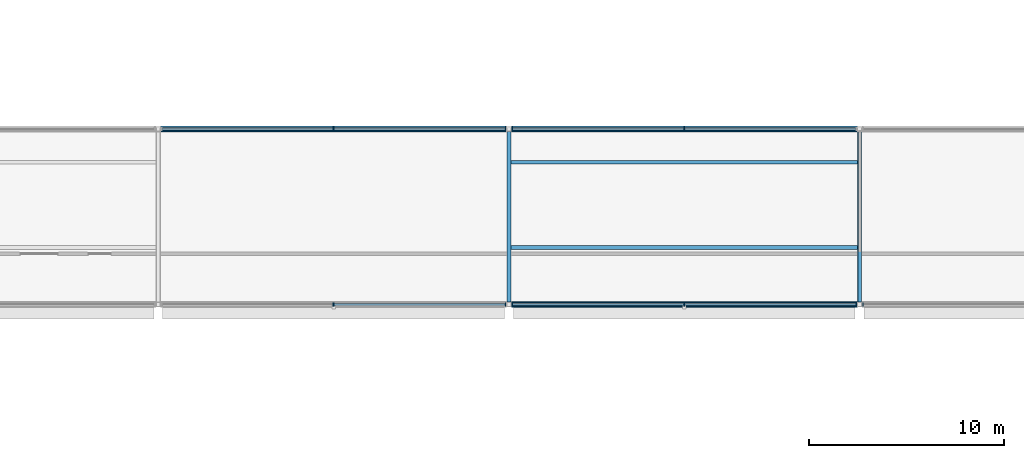
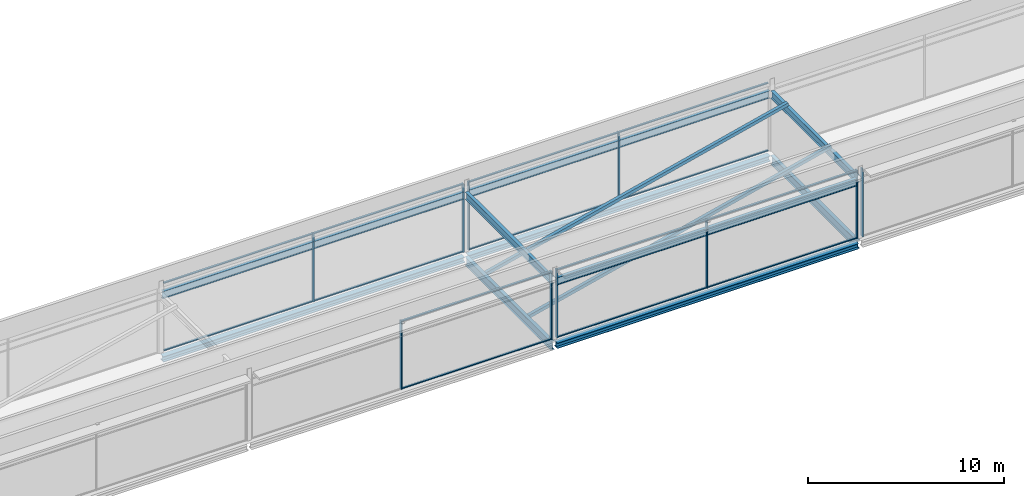
# One storey, part 18 of 73: 26 members, 10 beams, 5 elements without a shape of their own.
"""IFC4 building model written with IfcOpenShell, lengths in metres."""

from ifc_helpers import new_model, si_unit, direction, frame, origin, origin_2d, place, context, subcontext, project, spatial, rectangle, hollow_rectangle, i_section, extrude, material, layer, layer_set, material_profile, profile_set, type_object, element, aggregate, save


model = new_model("IFC4")

# Units and contexts
model_context = context("Model", 3, precision=1e-05, world=origin(), true_north=direction((0.0, 1.0)))
body_context = subcontext(model_context, "Body", "Model", "MODEL_VIEW")
ifc_project = project(units=[si_unit("LENGTHUNIT", "METRE"), si_unit("AREAUNIT", "SQUARE_METRE"), si_unit("VOLUMEUNIT", "CUBIC_METRE"), si_unit("PLANEANGLEUNIT", "RADIAN"), si_unit("MASSUNIT", "GRAM", prefix="KILO")], contexts=[model_context])

# Site, building, storey
site_placement = place(None, origin())
site = spatial("IfcSite", under=ifc_project, at=site_placement, CompositionType="ELEMENT")
building_placement = place(site_placement, origin())
building = spatial("IfcBuilding", under=site, at=building_placement, Name="Kisiwana Market Hall", CompositionType="ELEMENT")
storey_placement = place(building_placement, frame((0.0, 0.0, 33.300048828125)))
storey = spatial("IfcBuildingStorey", under=building, at=storey_placement, Name="L07", CompositionType="ELEMENT", Elevation=33.300048828125)

# Beams
ifc_material_1 = material(Name="Steel S355", Category="steel")
ifc_material_profile_1 = material_profile(ifc_material_1, i_section(OverallWidth=0.19140625, OverallDepth=0.4599609375, WebThickness=0.010009765625, FlangeThickness=0.01611328125, at=origin_2d()), Name="UB 457x191x82")
ifc_profile_set_1 = profile_set([ifc_material_profile_1], Name="Steel S355")
beam_type_1 = type_object("IfcBeamType", Name="BM-GIRD-UB457H", PredefinedType="BEAM", material=ifc_profile_set_1)
for number, where, z_axis, x_axis, name in (
    (1, (81.12109375, 18.0, 3.52783203125), (1.0, 0.0, 0.0), (0.0, 1.0, 0.0), "Roof girder B-2059"),
    (2, (63.12109375, 27.0, 3.52783203125), (1.0, 0.0, 0.0), (0.0, 1.0, 0.0), "Roof girder B-2064"),
    (3, (81.12109375, 27.0, 3.52783203125), (1.0, 0.0, 0.0), (0.0, 1.0, 0.0), "Roof girder B-2065"),
):
    element("IfcBeam", number, at=place(storey_placement, frame(where, z_axis=z_axis, x_axis=x_axis)), inside=storey, type_object=beam_type_1, Name=name, PredefinedType="BEAM", context=body_context, shape_type="SweptSolid", body=[
        extrude(i_section(OverallWidth=0.19140625, OverallDepth=0.4599609375, WebThickness=0.010009765625, FlangeThickness=0.01611328125, at=origin_2d()), origin(), (0.0, 0.0, 1.0), 17.7578125),
    ])
for number, where, z_axis, x_axis, name in (
    (4, (81.0, 18.12109375, 3.52783203125), (0.0, 1.0, 0.0), (-1.0, 0.0, 0.0), "Roof girder B-2070"),
    (5, (99.0, 18.12109375, 3.52783203125), (0.0, 1.0, 0.0), (-1.0, 0.0, 0.0), "Roof girder B-2071"),
):
    element("IfcBeam", number, at=place(storey_placement, frame(where, z_axis=z_axis, x_axis=x_axis)), inside=storey, type_object=beam_type_1, Name=name, PredefinedType="BEAM", context=body_context, shape_type="SweptSolid", body=[
        extrude(i_section(OverallWidth=0.19140625, OverallDepth=0.4599609375, WebThickness=0.010009765625, FlangeThickness=0.01611328125, at=origin_2d()), origin(), (0.0, 0.0, 1.0), 8.7578125),
    ])
ifc_material_2 = material(Name="Steel S355", Category="steel")
ifc_material_profile_2 = material_profile(ifc_material_2, i_section(OverallWidth=0.209228515625, OverallDepth=0.533203125, WebThickness=0.010009765625, FlangeThickness=0.015625, at=origin_2d()), Name="UB 533x210x92")
ifc_profile_set_2 = profile_set([ifc_material_profile_2], Name="Steel S355")
beam_type_2 = type_object("IfcBeamType", Name="BM-GIRD-UB533", PredefinedType="BEAM", material=ifc_profile_set_2)
for number, where, z_axis, x_axis, name in (
    (6, (81.0, 18.12109375, -0.531494140625), (0.0, 1.0, 0.0), (-1.0, 0.0, 0.0), "Primary girder B-1901"),
    (7, (99.0, 18.12109375, -0.531494140625), (0.0, 1.0, 0.0), (-1.0, 0.0, 0.0), "Primary girder B-1903"),
):
    element("IfcBeam", number, at=place(storey_placement, frame(where, z_axis=z_axis, x_axis=x_axis)), inside=storey, type_object=beam_type_2, Name=name, PredefinedType="BEAM", context=body_context, shape_type="SweptSolid", body=[
        extrude(i_section(OverallWidth=0.209228515625, OverallDepth=0.533203125, WebThickness=0.010009765625, FlangeThickness=0.015625, at=origin_2d()), origin(), (0.0, 0.0, 1.0), 8.7578125),
    ])
ifc_material_3 = material(Name="Steel S355", Category="steel")
ifc_material_profile_3 = material_profile(ifc_material_3, i_section(OverallWidth=0.314453125, OverallDepth=0.33984375, WebThickness=0.01904296875, FlangeThickness=0.031494140625, at=origin_2d()), Name="UC 305x305x198")
ifc_profile_set_3 = profile_set([ifc_material_profile_3], Name="Steel S355")
beam_type_3 = type_object("IfcBeamType", Name="BM-SKYBR-CHORD", PredefinedType="BEAM", material=ifc_profile_set_3)
for number, where, z_axis, x_axis, name in (
    (8, (81.12109375, 18.0, -0.43505859375), (1.0, 0.0, 0.0), (0.0, 1.0, 0.0), "Floor beam B-1969"),
    (9, (63.12109375, 27.0, -0.43505859375), (1.0, 0.0, 0.0), (0.0, 1.0, 0.0), "Floor beam B-1978"),
    (10, (81.12109375, 27.0, -0.43505859375), (1.0, 0.0, 0.0), (0.0, 1.0, 0.0), "Floor beam B-1979"),
):
    element("IfcBeam", number, at=place(storey_placement, frame(where, z_axis=z_axis, x_axis=x_axis)), inside=storey, type_object=beam_type_3, Name=name, PredefinedType="BEAM", context=body_context, shape_type="SweptSolid", body=[
        extrude(i_section(OverallWidth=0.314453125, OverallDepth=0.33984375, WebThickness=0.01904296875, FlangeThickness=0.031494140625, at=origin_2d()), origin(), (0.0, 0.0, 1.0), 17.7578125),
    ])

# Curtain wall, members
ifc_material_4 = material(Name="Double-glazed solar-control low-E IGU", Category="glass")
ifc_layer = layer(ifc_material_4, 0.159912109375)
ifc_layer_set = layer_set([ifc_layer], Name="CW-BRG-L07-8200")
curtain_wall_type = type_object("IfcCurtainWallType", Name="CW-BRG-L07-8200", PredefinedType="USERDEFINED", material=ifc_layer_set)
curtain_wall_1_placement = place(storey_placement, origin())
curtain_wall_1 = element("IfcCurtainWall", 11, at=curtain_wall_1_placement, inside=storey, type_object=curtain_wall_type, Name="Unitised curtain wall CW-213 (L07)", ObjectType="UNITISED CURTAIN WALL", PredefinedType="USERDEFINED")
ifc_material_5 = material(Name="Aluminium alloy 6063-T6", Category="aluminium")
ifc_material_profile_4 = material_profile(ifc_material_5, rectangle(XDim=0.070068359375, YDim=0.179931640625, at=origin_2d()), Name="ALU MULLION 70x180")
ifc_profile_set_4 = profile_set([ifc_material_profile_4], Name="Aluminium alloy 6063-T6")
member_type_1 = type_object("IfcMemberType", Name="CW-MULL-70x180", PredefinedType="MULLION", material=ifc_profile_set_4)
member_1_placement = place(storey_placement, frame((72.0, 18.0, 0.0), z_axis=(0.0, 0.0, 1.0), x_axis=(1.0, 0.0, 0.0)))
member_1 = element("IfcMember", 12, at=member_1_placement, type_object=member_type_1, Name="CW-213 mullion 2", PredefinedType="MULLION", context=body_context, shape_type="SweptSolid", body=[
    extrude(rectangle(XDim=0.070068359375, YDim=0.179931640625, at=origin_2d()), origin(), (0.0, 0.0, 1.0), 4.2548828125),
])
member_2_placement = place(storey_placement, frame((80.840087890625, 18.0, 0.0), z_axis=(0.0, 0.0, 1.0), x_axis=(1.0, 0.0, 0.0)))
member_2 = element("IfcMember", 13, at=member_2_placement, type_object=member_type_1, Name="CW-213 mullion 3", PredefinedType="MULLION", context=body_context, shape_type="SweptSolid", body=[
    extrude(rectangle(XDim=0.070068359375, YDim=0.179931640625, at=origin_2d()), origin(), (0.0, 0.0, 1.0), 4.2548828125),
])

curtain_wall_2_placement = place(storey_placement, origin())
curtain_wall_2 = element("IfcCurtainWall", 14, at=curtain_wall_2_placement, inside=storey, type_object=curtain_wall_type, Name="Unitised curtain wall CW-214 (L07)", ObjectType="UNITISED CURTAIN WALL", PredefinedType="USERDEFINED")
member_3_placement = place(storey_placement, frame((81.159912109375, 18.0, 0.0), z_axis=(0.0, 0.0, 1.0), x_axis=(1.0, 0.0, 0.0)))
member_3 = element("IfcMember", 15, at=member_3_placement, type_object=member_type_1, Name="CW-214 mullion 1", PredefinedType="MULLION", context=body_context, shape_type="SweptSolid", body=[
    extrude(rectangle(XDim=0.070068359375, YDim=0.179931640625, at=origin_2d()), origin(), (0.0, 0.0, 1.0), 4.2548828125),
])
member_4_placement = place(storey_placement, frame((90.0, 18.0, 0.0), z_axis=(0.0, 0.0, 1.0), x_axis=(1.0, 0.0, 0.0)))
member_4 = element("IfcMember", 16, at=member_4_placement, type_object=member_type_1, Name="CW-214 mullion 2", PredefinedType="MULLION", context=body_context, shape_type="SweptSolid", body=[
    extrude(rectangle(XDim=0.070068359375, YDim=0.179931640625, at=origin_2d()), origin(), (0.0, 0.0, 1.0), 4.2548828125),
])
member_5_placement = place(storey_placement, frame((98.840087890625, 18.0, 0.0), z_axis=(0.0, 0.0, 1.0), x_axis=(1.0, 0.0, 0.0)))
member_5 = element("IfcMember", 17, at=member_5_placement, type_object=member_type_1, Name="CW-214 mullion 3", PredefinedType="MULLION", context=body_context, shape_type="SweptSolid", body=[
    extrude(rectangle(XDim=0.070068359375, YDim=0.179931640625, at=origin_2d()), origin(), (0.0, 0.0, 1.0), 4.2548828125),
])

# Curtain wall, member
curtain_wall_3_placement = place(storey_placement, origin())
curtain_wall_3 = element("IfcCurtainWall", 18, at=curtain_wall_3_placement, inside=storey, type_object=curtain_wall_type, Name="Unitised curtain wall CW-215 (L07)", ObjectType="UNITISED CURTAIN WALL", PredefinedType="USERDEFINED")
member_6_placement = place(storey_placement, frame((99.159912109375, 18.0, 0.0), z_axis=(0.0, 0.0, 1.0), x_axis=(1.0, 0.0, 0.0)))
member_6 = element("IfcMember", 19, at=member_6_placement, type_object=member_type_1, Name="CW-215 mullion 1", PredefinedType="MULLION", context=body_context, shape_type="SweptSolid", body=[
    extrude(rectangle(XDim=0.070068359375, YDim=0.179931640625, at=origin_2d()), origin(), (0.0, 0.0, 1.0), 4.2548828125),
])
aggregate(curtain_wall_3, [member_6])

# Curtain wall, members
curtain_wall_4_placement = place(storey_placement, origin())
curtain_wall_4 = element("IfcCurtainWall", 20, at=curtain_wall_4_placement, inside=storey, type_object=curtain_wall_type, Name="Unitised curtain wall CW-219 (L07)", ObjectType="UNITISED CURTAIN WALL", PredefinedType="USERDEFINED")
member_7_placement = place(storey_placement, frame((72.0, 27.0, 0.0), z_axis=(0.0, 0.0, 1.0), x_axis=(1.0, 0.0, 0.0)))
member_7 = element("IfcMember", 21, at=member_7_placement, type_object=member_type_1, Name="CW-219 mullion 2", PredefinedType="MULLION", context=body_context, shape_type="SweptSolid", body=[
    extrude(rectangle(XDim=0.070068359375, YDim=0.179931640625, at=origin_2d()), origin(), (0.0, 0.0, 1.0), 4.2548828125),
])
member_8_placement = place(storey_placement, frame((80.840087890625, 27.0, 0.0), z_axis=(0.0, 0.0, 1.0), x_axis=(1.0, 0.0, 0.0)))
member_8 = element("IfcMember", 22, at=member_8_placement, type_object=member_type_1, Name="CW-219 mullion 3", PredefinedType="MULLION", context=body_context, shape_type="SweptSolid", body=[
    extrude(rectangle(XDim=0.070068359375, YDim=0.179931640625, at=origin_2d()), origin(), (0.0, 0.0, 1.0), 4.2548828125),
])

curtain_wall_5_placement = place(storey_placement, origin())
curtain_wall_5 = element("IfcCurtainWall", 23, at=curtain_wall_5_placement, inside=storey, type_object=curtain_wall_type, Name="Unitised curtain wall CW-220 (L07)", ObjectType="UNITISED CURTAIN WALL", PredefinedType="USERDEFINED")
member_9_placement = place(storey_placement, frame((81.159912109375, 27.0, 0.0), z_axis=(0.0, 0.0, 1.0), x_axis=(1.0, 0.0, 0.0)))
member_9 = element("IfcMember", 24, at=member_9_placement, type_object=member_type_1, Name="CW-220 mullion 1", PredefinedType="MULLION", context=body_context, shape_type="SweptSolid", body=[
    extrude(rectangle(XDim=0.070068359375, YDim=0.179931640625, at=origin_2d()), origin(), (0.0, 0.0, 1.0), 4.2548828125),
])
member_10_placement = place(storey_placement, frame((90.0, 27.0, 0.0), z_axis=(0.0, 0.0, 1.0), x_axis=(1.0, 0.0, 0.0)))
member_10 = element("IfcMember", 25, at=member_10_placement, type_object=member_type_1, Name="CW-220 mullion 2", PredefinedType="MULLION", context=body_context, shape_type="SweptSolid", body=[
    extrude(rectangle(XDim=0.070068359375, YDim=0.179931640625, at=origin_2d()), origin(), (0.0, 0.0, 1.0), 4.2548828125),
])

# Member
ifc_material_6 = material(Name="Aluminium alloy 6063-T6", Category="aluminium")
ifc_material_profile_5 = material_profile(ifc_material_6, rectangle(XDim=0.1201171875, YDim=0.06005859375, at=origin_2d()), Name="ALU TRANSOM 60x120")
ifc_profile_set_5 = profile_set([ifc_material_profile_5], Name="Aluminium alloy 6063-T6")
member_type_2 = type_object("IfcMemberType", Name="CW-TRAN-60x120", PredefinedType="USERDEFINED", material=ifc_profile_set_5)
member_11_placement = place(storey_placement, frame((72.034912109375, 18.0, 0.030029296875), z_axis=(1.0, 0.0, 0.0), x_axis=(0.0, 1.0, 0.0)))
member_11 = element("IfcMember", 26, at=member_11_placement, type_object=member_type_2, Name="CW-213 transom 2.1", ObjectType="TRANSOM", PredefinedType="USERDEFINED", context=body_context, shape_type="SweptSolid", body=[
    extrude(rectangle(XDim=0.1201171875, YDim=0.06005859375, at=origin_2d()), origin(), (0.0, 0.0, 1.0), 8.77001953125),
])

member_12_placement = place(storey_placement, frame((72.034912109375, 18.0, 4.224853515625), z_axis=(1.0, 0.0, 0.0), x_axis=(0.0, 1.0, 0.0)))
member_12 = element("IfcMember", 27, at=member_12_placement, type_object=member_type_2, Name="CW-213 transom 2.2", ObjectType="TRANSOM", PredefinedType="USERDEFINED", context=body_context, shape_type="SweptSolid", body=[
    extrude(rectangle(XDim=0.1201171875, YDim=0.06005859375, at=origin_2d()), origin(), (0.0, 0.0, 1.0), 8.77001953125),
])

aggregate(curtain_wall_1, [member_1, member_2, member_11, member_12])

member_13_placement = place(storey_placement, frame((81.195068359375, 18.0, 0.030029296875), z_axis=(1.0, 0.0, 0.0), x_axis=(0.0, 1.0, 0.0)))
member_13 = element("IfcMember", 28, at=member_13_placement, type_object=member_type_2, Name="CW-214 transom 1.1", ObjectType="TRANSOM", PredefinedType="USERDEFINED", context=body_context, shape_type="SweptSolid", body=[
    extrude(rectangle(XDim=0.1201171875, YDim=0.06005859375, at=origin_2d()), origin(), (0.0, 0.0, 1.0), 8.77001953125),
])

member_14_placement = place(storey_placement, frame((81.195068359375, 18.0, 4.224853515625), z_axis=(1.0, 0.0, 0.0), x_axis=(0.0, 1.0, 0.0)))
member_14 = element("IfcMember", 29, at=member_14_placement, type_object=member_type_2, Name="CW-214 transom 1.2", ObjectType="TRANSOM", PredefinedType="USERDEFINED", context=body_context, shape_type="SweptSolid", body=[
    extrude(rectangle(XDim=0.1201171875, YDim=0.06005859375, at=origin_2d()), origin(), (0.0, 0.0, 1.0), 8.77001953125),
])

member_15_placement = place(storey_placement, frame((90.034912109375, 18.0, 0.030029296875), z_axis=(1.0, 0.0, 0.0), x_axis=(0.0, 1.0, 0.0)))
member_15 = element("IfcMember", 30, at=member_15_placement, type_object=member_type_2, Name="CW-214 transom 2.1", ObjectType="TRANSOM", PredefinedType="USERDEFINED", context=body_context, shape_type="SweptSolid", body=[
    extrude(rectangle(XDim=0.1201171875, YDim=0.06005859375, at=origin_2d()), origin(), (0.0, 0.0, 1.0), 8.77001953125),
])

member_16_placement = place(storey_placement, frame((90.034912109375, 18.0, 4.224853515625), z_axis=(1.0, 0.0, 0.0), x_axis=(0.0, 1.0, 0.0)))
member_16 = element("IfcMember", 31, at=member_16_placement, type_object=member_type_2, Name="CW-214 transom 2.2", ObjectType="TRANSOM", PredefinedType="USERDEFINED", context=body_context, shape_type="SweptSolid", body=[
    extrude(rectangle(XDim=0.1201171875, YDim=0.06005859375, at=origin_2d()), origin(), (0.0, 0.0, 1.0), 8.77001953125),
])

aggregate(curtain_wall_2, [member_3, member_4, member_5, member_13, member_14, member_15, member_16])

member_17_placement = place(storey_placement, frame((63.195068359375, 27.0, 0.030029296875), z_axis=(1.0, 0.0, 0.0), x_axis=(0.0, 1.0, 0.0)))
member_17 = element("IfcMember", 32, at=member_17_placement, type_object=member_type_2, Name="CW-219 transom 1.1", ObjectType="TRANSOM", PredefinedType="USERDEFINED", context=body_context, shape_type="SweptSolid", body=[
    extrude(rectangle(XDim=0.1201171875, YDim=0.06005859375, at=origin_2d()), origin(), (0.0, 0.0, 1.0), 8.77001953125),
])

member_18_placement = place(storey_placement, frame((63.195068359375, 27.0, 4.224853515625), z_axis=(1.0, 0.0, 0.0), x_axis=(0.0, 1.0, 0.0)))
member_18 = element("IfcMember", 33, at=member_18_placement, type_object=member_type_2, Name="CW-219 transom 1.2", ObjectType="TRANSOM", PredefinedType="USERDEFINED", context=body_context, shape_type="SweptSolid", body=[
    extrude(rectangle(XDim=0.1201171875, YDim=0.06005859375, at=origin_2d()), origin(), (0.0, 0.0, 1.0), 8.77001953125),
])

member_19_placement = place(storey_placement, frame((72.034912109375, 27.0, 0.030029296875), z_axis=(1.0, 0.0, 0.0), x_axis=(0.0, 1.0, 0.0)))
member_19 = element("IfcMember", 34, at=member_19_placement, type_object=member_type_2, Name="CW-219 transom 2.1", ObjectType="TRANSOM", PredefinedType="USERDEFINED", context=body_context, shape_type="SweptSolid", body=[
    extrude(rectangle(XDim=0.1201171875, YDim=0.06005859375, at=origin_2d()), origin(), (0.0, 0.0, 1.0), 8.77001953125),
])

member_20_placement = place(storey_placement, frame((72.034912109375, 27.0, 4.224853515625), z_axis=(1.0, 0.0, 0.0), x_axis=(0.0, 1.0, 0.0)))
member_20 = element("IfcMember", 35, at=member_20_placement, type_object=member_type_2, Name="CW-219 transom 2.2", ObjectType="TRANSOM", PredefinedType="USERDEFINED", context=body_context, shape_type="SweptSolid", body=[
    extrude(rectangle(XDim=0.1201171875, YDim=0.06005859375, at=origin_2d()), origin(), (0.0, 0.0, 1.0), 8.77001953125),
])

aggregate(curtain_wall_4, [member_7, member_8, member_17, member_18, member_19, member_20])

member_21_placement = place(storey_placement, frame((81.195068359375, 27.0, 0.030029296875), z_axis=(1.0, 0.0, 0.0), x_axis=(0.0, 1.0, 0.0)))
member_21 = element("IfcMember", 36, at=member_21_placement, type_object=member_type_2, Name="CW-220 transom 1.1", ObjectType="TRANSOM", PredefinedType="USERDEFINED", context=body_context, shape_type="SweptSolid", body=[
    extrude(rectangle(XDim=0.1201171875, YDim=0.06005859375, at=origin_2d()), origin(), (0.0, 0.0, 1.0), 8.77001953125),
])

member_22_placement = place(storey_placement, frame((81.195068359375, 27.0, 4.224853515625), z_axis=(1.0, 0.0, 0.0), x_axis=(0.0, 1.0, 0.0)))
member_22 = element("IfcMember", 37, at=member_22_placement, type_object=member_type_2, Name="CW-220 transom 1.2", ObjectType="TRANSOM", PredefinedType="USERDEFINED", context=body_context, shape_type="SweptSolid", body=[
    extrude(rectangle(XDim=0.1201171875, YDim=0.06005859375, at=origin_2d()), origin(), (0.0, 0.0, 1.0), 8.77001953125),
])

member_23_placement = place(storey_placement, frame((90.034912109375, 27.0, 0.030029296875), z_axis=(1.0, 0.0, 0.0), x_axis=(0.0, 1.0, 0.0)))
member_23 = element("IfcMember", 38, at=member_23_placement, type_object=member_type_2, Name="CW-220 transom 2.1", ObjectType="TRANSOM", PredefinedType="USERDEFINED", context=body_context, shape_type="SweptSolid", body=[
    extrude(rectangle(XDim=0.1201171875, YDim=0.06005859375, at=origin_2d()), origin(), (0.0, 0.0, 1.0), 8.77001953125),
])

member_24_placement = place(storey_placement, frame((90.034912109375, 27.0, 4.224853515625), z_axis=(1.0, 0.0, 0.0), x_axis=(0.0, 1.0, 0.0)))
member_24 = element("IfcMember", 39, at=member_24_placement, type_object=member_type_2, Name="CW-220 transom 2.2", ObjectType="TRANSOM", PredefinedType="USERDEFINED", context=body_context, shape_type="SweptSolid", body=[
    extrude(rectangle(XDim=0.1201171875, YDim=0.06005859375, at=origin_2d()), origin(), (0.0, 0.0, 1.0), 8.77001953125),
])

aggregate(curtain_wall_5, [member_9, member_10, member_21, member_22, member_23, member_24])

# Members
ifc_material_7 = material(Name="Steel S355", Category="steel")
ifc_material_profile_6 = material_profile(ifc_material_7, hollow_rectangle(XDim=0.199951171875, YDim=0.199951171875, WallThickness=0.010009765625, at=origin_2d()), Name="SHS 200x200x10.0")
ifc_profile_set_6 = profile_set([ifc_material_profile_6], Name="Steel S355")
member_type_3 = type_object("IfcMemberType", Name="MB-SKY-DIAG200", PredefinedType="BRACE", material=ifc_profile_set_6)
for number, where, z_axis, x_axis, name in (
    (40, (81.0, 20.919921875, -0.5), (0.971336371937, 0.0, 0.237709176417), (0.0, 1.0, 0.0), "Skybridge truss diagonal L07 grids 10 to 12 M-0504"),
    (41, (81.0, 25.300048828125, -0.5), (0.971336371937, 0.0, 0.237709176417), (0.0, 1.0, 0.0), "Skybridge truss diagonal L07 grids 10 to 12 M-0505"),
):
    element("IfcMember", number, at=place(storey_placement, frame(where, z_axis=z_axis, x_axis=x_axis)), inside=storey, type_object=member_type_3, Name=name, PredefinedType="BRACE", context=body_context, shape_type="SweptSolid", body=[
        extrude(hollow_rectangle(XDim=0.199951171875, YDim=0.199951171875, WallThickness=0.010009765625, at=origin_2d()), origin(), (0.0, 0.0, 1.0), 18.53125),
    ])

save(model, "model.ifc")
